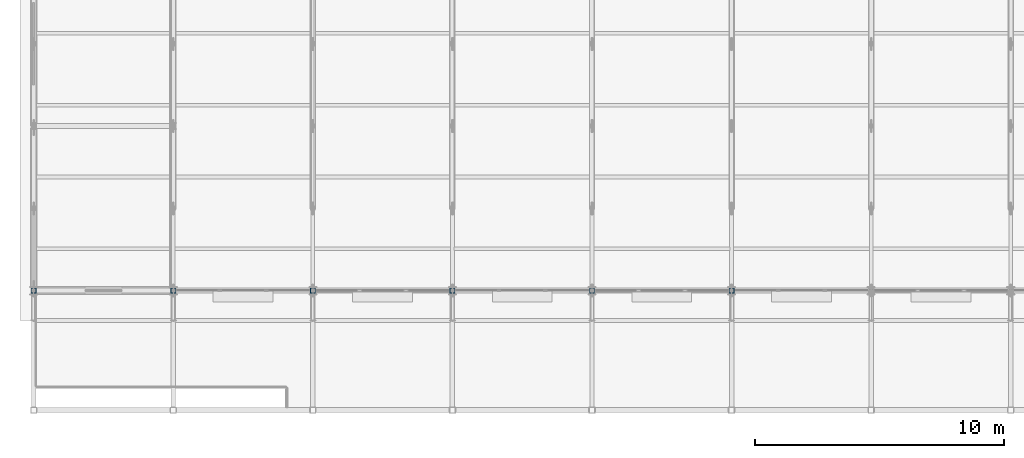
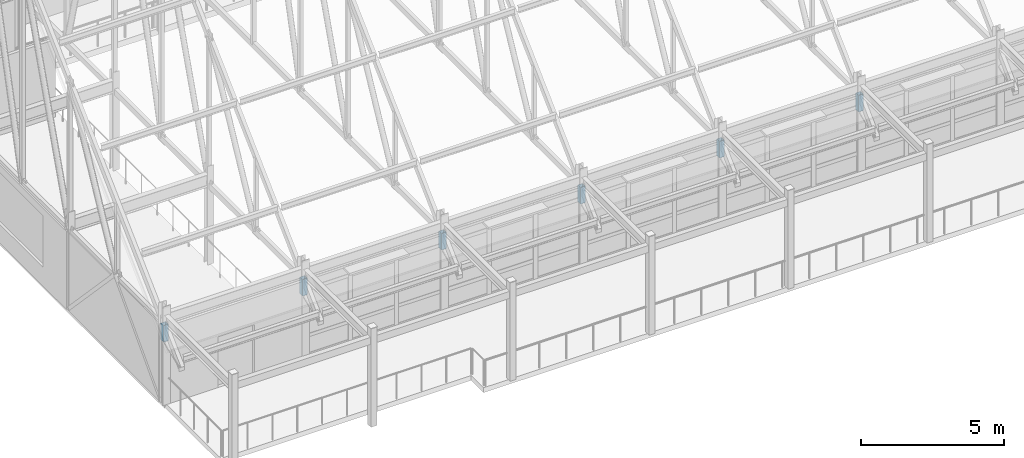
# One storey, part 87 of 144: 6 members.
"""IFC4 building model written with IfcOpenShell, lengths in metres."""

from ifc_helpers import new_model, si_unit, direction, frame, origin, origin_2d, place, context, subcontext, project, spatial, hollow_rectangle, extrude, material, material_profile, profile_set, type_object, element, save


model = new_model("IFC4")

# Units and contexts
model_context = context("Model", 3, precision=1e-05, world=origin(), true_north=direction((0.0, 1.0)))
body_context = subcontext(model_context, "Body", "Model", "MODEL_VIEW")
ifc_project = project(units=[si_unit("LENGTHUNIT", "METRE"), si_unit("AREAUNIT", "SQUARE_METRE"), si_unit("VOLUMEUNIT", "CUBIC_METRE"), si_unit("PLANEANGLEUNIT", "RADIAN"), si_unit("MASSUNIT", "GRAM", prefix="KILO")], contexts=[model_context])

# Site, building, storey
site_placement = place(None, origin())
site = spatial("IfcSite", under=ifc_project, at=site_placement, CompositionType="ELEMENT")
building_placement = place(site_placement, origin())
building = spatial("IfcBuilding", under=site, at=building_placement, Name="Trelmorton Wharf Fire Station", CompositionType="ELEMENT")
storey_placement = place(building_placement, frame((0.0, 0.0, 5.39990234375)))
storey = spatial("IfcBuildingStorey", under=building, at=storey_placement, Name="L01", CompositionType="ELEMENT", Elevation=5.39990234375)

# Members
ifc_material = material(Name="Steel C350L0 (350 MPa)", Category="steel")
ifc_material_profile = material_profile(ifc_material, hollow_rectangle(XDim=0.199951171875, YDim=0.199951171875, WallThickness=0.010009765625, at=origin_2d()), Name="200x200x10.0SHS")
ifc_profile_set = profile_set([ifc_material_profile], Name="Steel C350L0 (350 MPa)")
member_type = type_object("IfcMemberType", Name="TR_POST_200SHS", PredefinedType="POST", material=ifc_profile_set)
for number, where, z_axis, x_axis, name in (
    (1, (0.800048828125, 7.800048828125, 2.650146484375), (0.0, 0.0, 1.0), (1.0, 0.0, 0.0), "V1-TR01-SHS"),
    (2, (6.39990234375, 7.800048828125, 2.650146484375), (0.0, 0.0, 1.0), (1.0, 0.0, 0.0), "V1-TR02-SHS"),
    (3, (12.0, 7.800048828125, 2.650146484375), (0.0, 0.0, 1.0), (1.0, 0.0, 0.0), "V1-TR03-SHS"),
    (4, (17.60009765625, 7.800048828125, 2.650146484375), (0.0, 0.0, 1.0), (1.0, 0.0, 0.0), "V1-TR04-SHS"),
    (5, (23.199951171875, 7.800048828125, 2.650146484375), (0.0, 0.0, 1.0), (1.0, 0.0, 0.0), "V1-TR05-SHS"),
    (6, (28.800048828125, 7.800048828125, 2.650146484375), (0.0, 0.0, 1.0), (1.0, 0.0, 0.0), "V1-TR06-SHS"),
):
    element("IfcMember", number, at=place(storey_placement, frame(where, z_axis=z_axis, x_axis=x_axis)), inside=storey, type_object=member_type, Name=name, PredefinedType="POST", context=body_context, shape_type="SweptSolid", body=[
        extrude(hollow_rectangle(XDim=0.199951171875, YDim=0.199951171875, WallThickness=0.010009765625, at=origin_2d()), origin(), (0.0, 0.0, 1.0), 0.70166015625),
    ])

save(model, "model.ifc")
